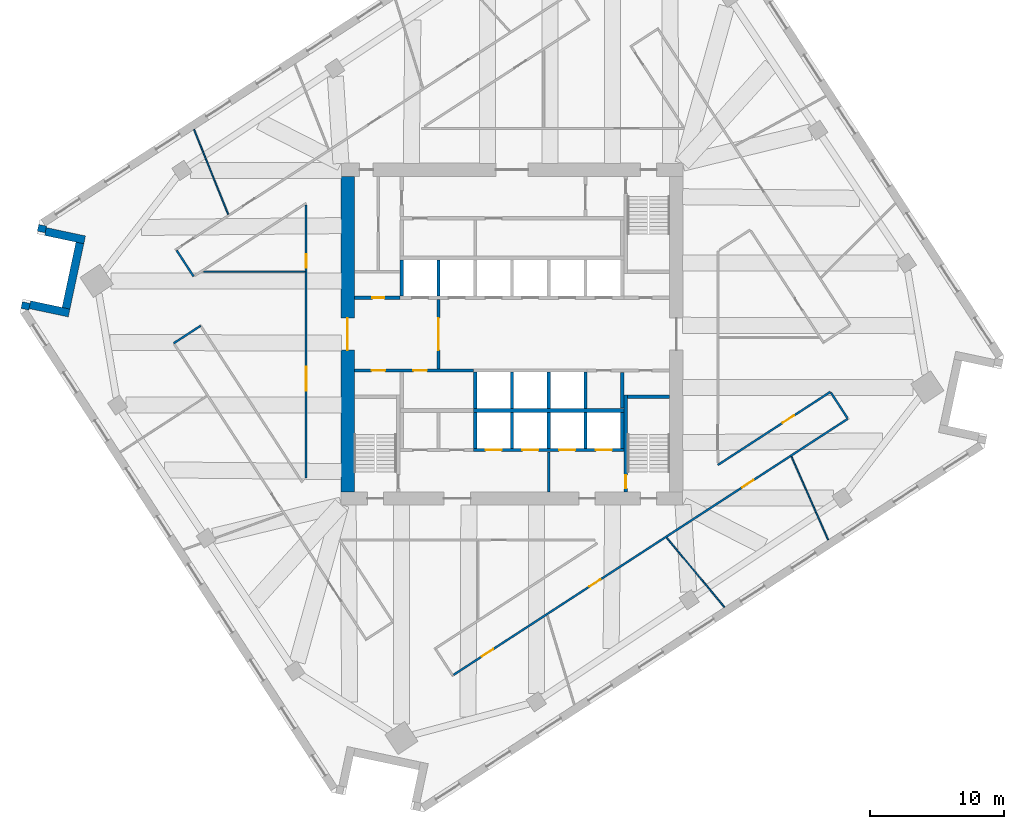
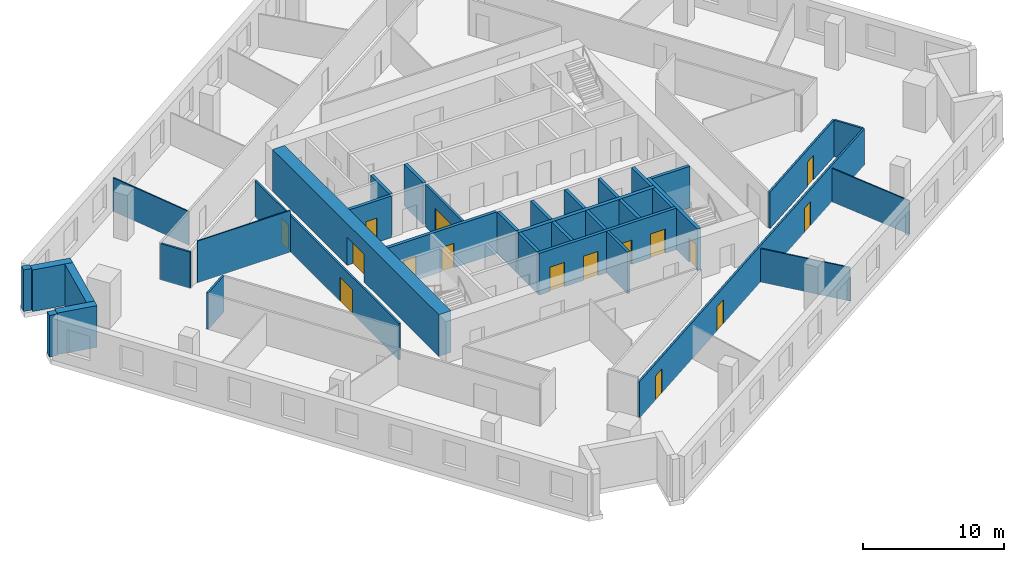
# One storey, part 7 of 12: 36 walls, 16 doors, 16 openings.
"""IFC4 building model written with IfcOpenShell, lengths in metres."""

from ifc_helpers import new_model, si_unit, direction, frame, frame_2d, origin, place, context, subcontext, project, spatial, rectangle, extrude, material, layer, layer_set, type_object, element, fill, save


model = new_model("IFC4")

# Units and contexts
model_context = context("Model", 3, precision=1e-05, world=origin(), true_north=direction((0.0, 1.0)))
body_context = subcontext(model_context, "Body", "Model", "MODEL_VIEW")
ifc_project = project(units=[si_unit("LENGTHUNIT", "METRE"), si_unit("AREAUNIT", "SQUARE_METRE"), si_unit("VOLUMEUNIT", "CUBIC_METRE"), si_unit("PLANEANGLEUNIT", "RADIAN"), si_unit("MASSUNIT", "GRAM", prefix="KILO")], contexts=[model_context])

# Site, building, storey
site_placement = place(None, origin())
site = spatial("IfcSite", under=ifc_project, at=site_placement, CompositionType="ELEMENT")
building_placement = place(site_placement, origin())
building = spatial("IfcBuilding", under=site, at=building_placement, Name="Dilmun Exchange Tower", CompositionType="ELEMENT")
storey_placement = place(building_placement, frame((0.0, 0.0, 159.699951171875)))
storey = spatial("IfcBuildingStorey", under=building, at=storey_placement, Name="L37", CompositionType="ELEMENT", Elevation=159.699951171875)

# Wall
ifc_material_1 = material(Name="Concrete C40/50", Category="concrete")
ifc_layer_1 = layer(ifc_material_1, 0.199951171875)
ifc_layer_set_1 = layer_set([ifc_layer_1], Name="Concrete C40/50")
wall_type_1 = type_object("IfcWallType", Name="Core partition wall 200", PredefinedType="PARTITIONING", material=ifc_layer_set_1)
wall_1_placement = place(storey_placement, frame((2.75, -11.794921875, 0.0), z_axis=(0.0, 0.0, 1.0), x_axis=(0.0, 1.0, 0.0)))
element("IfcWall", 1, at=wall_1_placement, inside=storey, type_object=wall_type_1, Name="L37 core partition wall 01", PredefinedType="PARTITIONING", context=body_context, shape_type="SweptSolid", body=[
    extrude(rectangle(XDim=2.989990234375, YDim=0.199951171875, at=frame_2d((1.4951171875, 0.0))), origin(), (0.0, 0.0, 1.0), 3.60009765625),
])

# Wall, opening, door
wall_2_placement = place(storey_placement, frame((-5.5, -2.594970703125, 0.0), z_axis=(0.0, 0.0, 1.0), x_axis=(0.0, 1.0, 0.0)))
wall_2 = element("IfcWall", 2, at=wall_2_placement, inside=storey, type_object=wall_type_1, Name="L37 core partition wall 10", PredefinedType="PARTITIONING", context=body_context, shape_type="SweptSolid", body=[
    extrude(rectangle(XDim=5.18994140625, YDim=0.199951171875, at=frame_2d((2.594970703125, 0.0))), origin(), (0.0, 0.0, 1.0), 3.60009765625),
])
opening_1_placement = place(wall_2_placement, frame((1.39501953125, 0.0, 0.0)))
opening_1 = element("IfcOpeningElement", 3, at=opening_1_placement, cuts=wall_2, Name="Opening CD1", PredefinedType="OPENING", context=body_context, shape_type="SweptSolid", body=[
    extrude(rectangle(XDim=2.39990234375, YDim=2.39990234375, at=frame_2d((1.199951171875, 1.199951171875))), frame((0.0, 0.10986328125, 0.0), z_axis=(0.0, -1.0, 0.0), x_axis=(1.0, 0.0, 0.0)), (0.0, 0.0, 1.0), 0.219970703125),
])
ifc_material_2 = material(Name="Fire-rated steel door set", Category="steel")
door_type_1 = type_object("IfcDoorType", Name="Core lobby door 2400x2400", OperationType="DOUBLE_DOOR_DOUBLE_SWING", PredefinedType="DOOR", material=ifc_material_2)
door_1_placement = place(opening_1_placement, origin())
door_1 = element("IfcDoor", 4, at=door_1_placement, inside=storey, type_object=door_type_1, Name="L37 door Lift lobby east", OperationType="DOUBLE_DOOR_DOUBLE_SWING", OverallHeight=2.39990234375, OverallWidth=2.39990234375, PredefinedType="DOOR", context=body_context, shape_type="SweptSolid", body=[
    extrude(rectangle(XDim=2.39990234375, YDim=2.39990234375, at=frame_2d((1.199951171875, 1.199951171875))), frame((0.0, 0.02490234375, 0.0), z_axis=(0.0, -1.0, 0.0), x_axis=(1.0, 0.0, 0.0)), (0.0, 0.0, 1.0), 0.050048828125),
])
fill(opening_1, door_1)

# Wall
ifc_layer_2 = layer(ifc_material_1, 0.25)
ifc_layer_set_2 = layer_set([ifc_layer_2], Name="Concrete C40/50")
wall_type_2 = type_object("IfcWallType", Name="Core partition wall 250", PredefinedType="PARTITIONING", material=ifc_layer_set_2)
wall_3_placement = place(storey_placement, frame((8.25, -5.544921875, 0.0), z_axis=(0.0, 0.0, 1.0), x_axis=(0.0, 1.0, 0.0)))
element("IfcWall", 5, at=wall_3_placement, inside=storey, type_object=wall_type_2, Name="L37 core partition wall 07", PredefinedType="PARTITIONING", context=body_context, shape_type="SweptSolid", body=[
    extrude(rectangle(XDim=2.68994140625, YDim=0.25, at=frame_2d((1.344970703125, 0.0))), origin(), (0.0, 0.0, 1.0), 3.60009765625),
])

# Wall, openings, doors
wall_4_placement = place(storey_placement, frame((-11.794921875, -2.72509765625, 0.0), z_axis=(0.0, 0.0, 1.0), x_axis=(1.0, 0.0, 0.0)))
wall_4 = element("IfcWall", 6, at=wall_4_placement, inside=storey, type_object=wall_type_2, Name="L37 core partition wall 08", PredefinedType="PARTITIONING", context=body_context, shape_type="SweptSolid", body=[
    extrude(rectangle(XDim=8.9150390625, YDim=0.25, at=frame_2d((4.45751953125, 0.0))), origin(), (0.0, 0.0, 1.0), 3.60009765625),
])
opening_2_placement = place(wall_4_placement, frame((1.294921875, 0.0, 0.0)))
opening_2 = element("IfcOpeningElement", 7, at=opening_2_placement, cuts=wall_4, Name="Opening CD4", PredefinedType="OPENING", context=body_context, shape_type="SweptSolid", body=[
    extrude(rectangle(XDim=1.0, YDim=2.10009765625, at=frame_2d((0.5, 1.050048828125))), frame((0.0, 0.135009765625, 0.0), z_axis=(0.0, -1.0, 0.0), x_axis=(1.0, 0.0, 0.0)), (0.0, 0.0, 1.0), 0.27001953125),
])
opening_3_placement = place(wall_4_placement, frame((4.419921875, 0.0, 0.0)))
opening_3 = element("IfcOpeningElement", 8, at=opening_3_placement, cuts=wall_4, Name="Opening CD4", PredefinedType="OPENING", context=body_context, shape_type="SweptSolid", body=[
    extrude(rectangle(XDim=1.0, YDim=2.10009765625, at=frame_2d((0.5, 1.050048828125))), frame((0.0, 0.135009765625, 0.0), z_axis=(0.0, -1.0, 0.0), x_axis=(1.0, 0.0, 0.0)), (0.0, 0.0, 1.0), 0.27001953125),
])
door_type_2 = type_object("IfcDoorType", Name="Core room door 1000x2100", OperationType="SINGLE_SWING_LEFT", PredefinedType="DOOR", material=ifc_material_2)
door_2_placement = place(opening_2_placement, origin())
door_2 = element("IfcDoor", 9, at=door_2_placement, inside=storey, type_object=door_type_2, Name="L37 door Accessible WC", OperationType="SINGLE_SWING_RIGHT", OverallHeight=2.10009765625, OverallWidth=1.0, PredefinedType="DOOR", context=body_context, shape_type="SweptSolid", body=[
    extrude(rectangle(XDim=1.0, YDim=2.10009765625, at=frame_2d((0.5, 1.050048828125))), frame((0.0, 0.02490234375, 0.0), z_axis=(0.0, -1.0, 0.0), x_axis=(1.0, 0.0, 0.0)), (0.0, 0.0, 1.0), 0.050048828125),
])
fill(opening_2, door_2)
door_3_placement = place(opening_3_placement, origin())
door_3 = element("IfcDoor", 10, at=door_3_placement, inside=storey, type_object=door_type_2, Name="L37 door Mechanical room", OperationType="SINGLE_SWING_RIGHT", OverallHeight=2.10009765625, OverallWidth=1.0, PredefinedType="DOOR", context=body_context, shape_type="SweptSolid", body=[
    extrude(rectangle(XDim=1.0, YDim=2.10009765625, at=frame_2d((0.5, 1.050048828125))), frame((0.0, 0.02490234375, 0.0), z_axis=(0.0, -1.0, 0.0), x_axis=(1.0, 0.0, 0.0)), (0.0, 0.0, 1.0), 0.050048828125),
])
fill(opening_3, door_3)

# Wall, opening, door
wall_5_placement = place(storey_placement, frame((-11.794921875, 2.72509765625, 0.0), z_axis=(0.0, 0.0, 1.0), x_axis=(1.0, 0.0, 0.0)))
wall_5 = element("IfcWall", 11, at=wall_5_placement, inside=storey, type_object=wall_type_2, Name="L37 core partition wall 11", PredefinedType="PARTITIONING", context=body_context, shape_type="SweptSolid", body=[
    extrude(rectangle(XDim=3.4150390625, YDim=0.25, at=frame_2d((1.70751953125, 0.0))), origin(), (0.0, 0.0, 1.0), 3.60009765625),
])
opening_4_placement = place(wall_5_placement, frame((1.344970703125, 0.0, 0.0)))
opening_4 = element("IfcOpeningElement", 12, at=opening_4_placement, cuts=wall_5, Name="Opening CD6", PredefinedType="OPENING", context=body_context, shape_type="SweptSolid", body=[
    extrude(rectangle(XDim=0.89990234375, YDim=2.10009765625, at=frame_2d((0.449951171875, 1.050048828125))), frame((0.0, 0.135009765625, 0.0), z_axis=(0.0, -1.0, 0.0), x_axis=(1.0, 0.0, 0.0)), (0.0, 0.0, 1.0), 0.27001953125),
])
door_type_3 = type_object("IfcDoorType", Name="Core room door 900x2100", OperationType="SINGLE_SWING_LEFT", PredefinedType="DOOR", material=ifc_material_2)
door_4_placement = place(opening_4_placement, origin())
door_4 = element("IfcDoor", 13, at=door_4_placement, inside=storey, type_object=door_type_3, Name="L37 door Plumbing riser", OperationType="SINGLE_SWING_RIGHT", OverallHeight=2.10009765625, OverallWidth=0.89990234375, PredefinedType="DOOR", context=body_context, shape_type="SweptSolid", body=[
    extrude(rectangle(XDim=0.89990234375, YDim=2.10009765625, at=frame_2d((0.449951171875, 1.050048828125))), frame((0.0, 0.02490234375, 0.0), z_axis=(0.0, -1.0, 0.0), x_axis=(1.0, 0.0, 0.0)), (0.0, 0.0, 1.0), 0.050048828125),
])
fill(opening_4, door_4)

ifc_material_3 = material(Name="Concrete C70/85", Category="concrete")
ifc_layer_3 = layer(ifc_material_3, 1.0)
ifc_layer_set_3 = layer_set([ifc_layer_3], Name="Concrete C70/85")
wall_type_3 = type_object("IfcWallType", Name="Core shear wall 1000 Concrete C70/85", PredefinedType="SHEAR", material=ifc_layer_set_3)
wall_6_placement = place(storey_placement, frame((-12.300048828125, -11.800048828125, 0.0), z_axis=(0.0, 0.0, 1.0), x_axis=(0.0, 1.0, 0.0)))
wall_6 = element("IfcWall", 14, at=wall_6_placement, inside=storey, type_object=wall_type_3, Name="L37 core shear wall W", PredefinedType="SHEAR", context=body_context, shape_type="SweptSolid", body=[
    extrude(rectangle(XDim=23.60009765625, YDim=1.0, at=frame_2d((11.800048828125, 0.0))), origin(), (0.0, 0.0, 1.0), 3.60009765625),
])
opening_5_placement = place(wall_6_placement, frame((10.60009765625, 0.0, 0.0)))
opening_5 = element("IfcOpeningElement", 15, at=opening_5_placement, cuts=wall_6, Name="Opening CD1", PredefinedType="OPENING", context=body_context, shape_type="SweptSolid", body=[
    extrude(rectangle(XDim=2.39990234375, YDim=2.39990234375, at=frame_2d((1.199951171875, 1.199951171875))), frame((0.0, 0.510009765625, 0.0), z_axis=(0.0, -1.0, 0.0), x_axis=(1.0, 0.0, 0.0)), (0.0, 0.0, 1.0), 1.02001953125),
])
door_5_placement = place(opening_5_placement, origin())
door_5 = element("IfcDoor", 16, at=door_5_placement, inside=storey, type_object=door_type_1, Name="L37 door Central lift lobby", OperationType="SINGLE_SWING_LEFT", OverallHeight=2.39990234375, OverallWidth=2.39990234375, PredefinedType="DOOR", context=body_context, shape_type="SweptSolid", body=[
    extrude(rectangle(XDim=2.39990234375, YDim=2.39990234375, at=frame_2d((1.199951171875, 1.199951171875))), frame((0.0, 0.02490234375, 0.0), z_axis=(0.0, -1.0, 0.0), x_axis=(1.0, 0.0, 0.0)), (0.0, 0.0, 1.0), 0.050048828125),
])
fill(opening_5, door_5)

# Walls
ifc_material_4 = material(Name="Corridor wall 150")
ifc_layer_4 = layer(ifc_material_4, 0.14990234375)
ifc_layer_set_4 = layer_set([ifc_layer_4], Name="Corridor wall 150")
wall_type_4 = type_object("IfcWallType", Name="Corridor wall 150", PredefinedType="PARTITIONING", material=ifc_layer_set_4)
wall_7_placement = place(storey_placement, frame((-25.31201171875, -0.680908203125, 0.0), z_axis=(0.0, 0.0, 1.0), x_axis=(0.838734016275, 0.544541320694, 0.0)))
element("IfcWall", 17, at=wall_7_placement, inside=storey, type_object=wall_type_4, Name="Corridor wall", PredefinedType="PARTITIONING", context=body_context, shape_type="SweptSolid", body=[
    extrude(rectangle(XDim=2.39990234375, YDim=0.14990234375, at=frame_2d((1.199951171875, 0.0))), origin(), (0.0, 0.0, 1.0), 3.150146484375),
])
wall_8_placement = place(storey_placement, frame((-25.093017578125, 6.26806640625, 0.0), z_axis=(0.0, 0.0, 1.0), x_axis=(0.544770485594, -0.838585188294, 0.0)))
element("IfcWall", 18, at=wall_8_placement, inside=storey, type_object=wall_type_4, Name="Corridor wall", PredefinedType="PARTITIONING", context=body_context, shape_type="SweptSolid", body=[
    extrude(rectangle(XDim=2.32421875, YDim=0.14990234375, at=frame_2d((1.162109375, 0.0))), origin(), (0.0, 0.0, 1.0), 3.150146484375),
])

# Wall, openings, doors
wall_9_placement = place(storey_placement, frame((-15.39990234375, -10.772705078125, 0.0), z_axis=(0.0, 0.0, 1.0), x_axis=(0.0, 1.0, 0.0)))
wall_9 = element("IfcWall", 19, at=wall_9_placement, inside=storey, type_object=wall_type_4, Name="Corridor wall", PredefinedType="PARTITIONING", context=body_context, shape_type="SweptSolid", body=[
    extrude(rectangle(XDim=20.425537109375, YDim=0.14990234375, at=frame_2d((10.212890625, 0.0))), origin(), (0.0, 0.0, 1.0), 3.150146484375),
])
opening_6_placement = place(wall_9_placement, frame((6.550048828125, 0.0, 0.0)))
opening_6 = element("IfcOpeningElement", 20, at=opening_6_placement, cuts=wall_9, Name="Opening TF36-D01", PredefinedType="OPENING", context=body_context, shape_type="SweptSolid", body=[
    extrude(rectangle(XDim=1.800048828125, YDim=2.10009765625, at=frame_2d((0.89990234375, 1.050048828125))), frame((0.0, 0.0849609375, 0.0), z_axis=(0.0, -1.0, 0.0), x_axis=(1.0, 0.0, 0.0)), (0.0, 0.0, 1.0), 0.169921875),
])
opening_7_placement = place(wall_9_placement, frame((15.745849609375, 0.0, 0.0)))
opening_7 = element("IfcOpeningElement", 21, at=opening_7_placement, cuts=wall_9, Name="Opening TF36-D05", PredefinedType="OPENING", context=body_context, shape_type="SweptSolid", body=[
    extrude(rectangle(XDim=1.0, YDim=2.10009765625, at=frame_2d((0.5, 1.050048828125))), frame((0.0, 0.0849609375, 0.0), z_axis=(0.0, -1.0, 0.0), x_axis=(1.0, 0.0, 0.0)), (0.0, 0.0, 1.0), 0.169921875),
])
ifc_material_5 = material(Name="Fire door 1000 x 2100")
door_type_4 = type_object("IfcDoorType", Name="Fire door 1000 x 2100", OperationType="NOTDEFINED", PredefinedType="DOOR", material=ifc_material_5)
door_6_placement = place(opening_7_placement, origin())
door_6 = element("IfcDoor", 22, at=door_6_placement, inside=storey, type_object=door_type_4, Name="Door TF36-D05", OperationType="SINGLE_SWING_RIGHT", OverallHeight=2.10009765625, OverallWidth=1.0, PredefinedType="DOOR", context=body_context, shape_type="SweptSolid", body=[
    extrude(rectangle(XDim=1.0, YDim=2.10009765625, at=frame_2d((0.5, 1.050048828125))), frame((0.0, 0.02490234375, 0.0), z_axis=(0.0, -1.0, 0.0), x_axis=(1.0, 0.0, 0.0)), (0.0, 0.0, 1.0), 0.050048828125),
])
fill(opening_7, door_6)
ifc_material_6 = material(Name="Fire door pair 1800 x 2100")
door_type_5 = type_object("IfcDoorType", Name="Fire door pair 1800 x 2100", OperationType="NOTDEFINED", PredefinedType="DOOR", material=ifc_material_6)
door_7_placement = place(opening_6_placement, origin())
door_7 = element("IfcDoor", 23, at=door_7_placement, inside=storey, type_object=door_type_5, Name="Door TF36-D01", OperationType="DOUBLE_DOOR_SINGLE_SWING", OverallHeight=2.10009765625, OverallWidth=1.800048828125, PredefinedType="DOOR", context=body_context, shape_type="SweptSolid", body=[
    extrude(rectangle(XDim=1.800048828125, YDim=2.10009765625, at=frame_2d((0.89990234375, 1.050048828125))), frame((0.0, 0.02490234375, 0.0), z_axis=(0.0, -1.0, 0.0), x_axis=(1.0, 0.0, 0.0)), (0.0, 0.0, 1.0), 0.050048828125),
])
fill(opening_6, door_7)

wall_10_placement = place(storey_placement, frame((-4.376220703125, -25.49609375, 0.0), z_axis=(0.0, 0.0, 1.0), x_axis=(0.838659454634, 0.544656147631, 0.0)))
wall_10 = element("IfcWall", 24, at=wall_10_placement, inside=storey, type_object=wall_type_4, Name="Corridor wall", PredefinedType="PARTITIONING", context=body_context, shape_type="SweptSolid", body=[
    extrude(rectangle(XDim=35.1875, YDim=0.14990234375, at=frame_2d((17.59375, 0.0))), origin(), (0.0, 0.0, 1.0), 3.150146484375),
])
opening_8_placement = place(wall_10_placement, frame((2.550048828125, 0.0, 0.0)))
opening_8 = element("IfcOpeningElement", 25, at=opening_8_placement, cuts=wall_10, Name="Opening TF36-D08", PredefinedType="OPENING", context=body_context, shape_type="SweptSolid", body=[
    extrude(rectangle(XDim=1.0, YDim=2.10009765625, at=frame_2d((0.5, 1.050048828125))), frame((0.0, 0.0849609375, 0.0), z_axis=(0.0, -1.0, 0.0), x_axis=(1.0, 0.0, 0.0)), (0.0, 0.0, 1.0), 0.169921875),
])
opening_9_placement = place(wall_10_placement, frame((12.126220703125, 0.0, 0.0)))
opening_9 = element("IfcOpeningElement", 26, at=opening_9_placement, cuts=wall_10, Name="Opening TF36-D12", PredefinedType="OPENING", context=body_context, shape_type="SweptSolid", body=[
    extrude(rectangle(XDim=1.0, YDim=2.10009765625, at=frame_2d((0.5, 1.050048828125))), frame((0.0, 0.0849609375, 0.0), z_axis=(0.0, -1.0, 0.0), x_axis=(1.0, 0.0, 0.0)), (0.0, 0.0, 1.0), 0.169921875),
])
opening_10_placement = place(wall_10_placement, frame((25.759033203125, 0.0, 0.0)))
opening_10 = element("IfcOpeningElement", 27, at=opening_10_placement, cuts=wall_10, Name="Opening TF36-D15", PredefinedType="OPENING", context=body_context, shape_type="SweptSolid", body=[
    extrude(rectangle(XDim=1.0, YDim=2.10009765625, at=frame_2d((0.5, 1.050048828125))), frame((0.0, 0.0849609375, 0.0), z_axis=(0.0, -1.0, 0.0), x_axis=(1.0, 0.0, 0.0)), (0.0, 0.0, 1.0), 0.169921875),
])
door_8_placement = place(opening_8_placement, frame((1.0, 0.0, 0.0), z_axis=(0.0, 0.0, 1.0), x_axis=(-1.0, 0.0, 0.0)))
door_8 = element("IfcDoor", 28, at=door_8_placement, inside=storey, type_object=door_type_4, Name="Door TF36-D08", OperationType="SINGLE_SWING_LEFT", OverallHeight=2.10009765625, OverallWidth=1.0, PredefinedType="DOOR", context=body_context, shape_type="SweptSolid", body=[
    extrude(rectangle(XDim=1.0, YDim=2.10009765625, at=frame_2d((0.5, 1.050048828125))), frame((0.0, 0.02490234375, 0.0), z_axis=(0.0, -1.0, 0.0), x_axis=(1.0, 0.0, 0.0)), (0.0, 0.0, 1.0), 0.050048828125),
])
fill(opening_8, door_8)
door_9_placement = place(opening_9_placement, frame((1.0, 0.0, 0.0), z_axis=(0.0, 0.0, 1.0), x_axis=(-1.0, 0.0, 0.0)))
door_9 = element("IfcDoor", 29, at=door_9_placement, inside=storey, type_object=door_type_4, Name="Door TF36-D12", OperationType="SINGLE_SWING_LEFT", OverallHeight=2.10009765625, OverallWidth=1.0, PredefinedType="DOOR", context=body_context, shape_type="SweptSolid", body=[
    extrude(rectangle(XDim=1.0, YDim=2.10009765625, at=frame_2d((0.5, 1.050048828125))), frame((0.0, 0.02490234375, 0.0), z_axis=(0.0, -1.0, 0.0), x_axis=(1.0, 0.0, 0.0)), (0.0, 0.0, 1.0), 0.050048828125),
])
fill(opening_9, door_9)
door_10_placement = place(opening_10_placement, frame((1.0, 0.0, 0.0), z_axis=(0.0, 0.0, 1.0), x_axis=(-1.0, 0.0, 0.0)))
door_10 = element("IfcDoor", 30, at=door_10_placement, inside=storey, type_object=door_type_4, Name="Door TF36-D15", OperationType="SINGLE_SWING_RIGHT", OverallHeight=2.10009765625, OverallWidth=1.0, PredefinedType="DOOR", context=body_context, shape_type="SweptSolid", body=[
    extrude(rectangle(XDim=1.0, YDim=2.10009765625, at=frame_2d((0.5, 1.050048828125))), frame((0.0, 0.02490234375, 0.0), z_axis=(0.0, -1.0, 0.0), x_axis=(1.0, 0.0, 0.0)), (0.0, 0.0, 1.0), 0.050048828125),
])
fill(opening_10, door_10)

# Wall, opening, door
wall_11_placement = place(storey_placement, frame((15.39990234375, -9.791015625, 0.0), z_axis=(0.0, 0.0, 1.0), x_axis=(0.838699444503, 0.544594566435, 0.0)))
wall_11 = element("IfcWall", 31, at=wall_11_placement, inside=storey, type_object=wall_type_4, Name="Corridor wall", PredefinedType="PARTITIONING", context=body_context, shape_type="SweptSolid", body=[
    extrude(rectangle(XDim=10.047607421875, YDim=0.14990234375, at=frame_2d((5.02392578125, 0.0))), origin(), (0.0, 0.0, 1.0), 3.150146484375),
])
opening_11_placement = place(wall_11_placement, frame((5.800048828125, 0.0, 0.0)))
opening_11 = element("IfcOpeningElement", 32, at=opening_11_placement, cuts=wall_11, Name="Opening TF36-D19", PredefinedType="OPENING", context=body_context, shape_type="SweptSolid", body=[
    extrude(rectangle(XDim=1.0, YDim=2.10009765625, at=frame_2d((0.5, 1.050048828125))), frame((0.0, 0.0849609375, 0.0), z_axis=(0.0, -1.0, 0.0), x_axis=(1.0, 0.0, 0.0)), (0.0, 0.0, 1.0), 0.169921875),
])
door_11_placement = place(opening_11_placement, origin())
door_11 = element("IfcDoor", 33, at=door_11_placement, inside=storey, type_object=door_type_4, Name="Door TF36-D19", OperationType="SINGLE_SWING_RIGHT", OverallHeight=2.10009765625, OverallWidth=1.0, PredefinedType="DOOR", context=body_context, shape_type="SweptSolid", body=[
    extrude(rectangle(XDim=1.0, YDim=2.10009765625, at=frame_2d((0.5, 1.050048828125))), frame((0.0, 0.02490234375, 0.0), z_axis=(0.0, -1.0, 0.0), x_axis=(1.0, 0.0, 0.0)), (0.0, 0.0, 1.0), 0.050048828125),
])
fill(opening_11, door_11)

# Walls
wall_12_placement = place(storey_placement, frame((23.867919921875, -4.3818359375, 0.0), z_axis=(0.0, 0.0, 1.0), x_axis=(0.544690717141, -0.838637002916, 0.0)))
element("IfcWall", 34, at=wall_12_placement, inside=storey, type_object=wall_type_4, Name="Corridor wall", PredefinedType="PARTITIONING", context=body_context, shape_type="SweptSolid", body=[
    extrude(rectangle(XDim=2.249267578125, YDim=0.14990234375, at=frame_2d((1.12451171875, 0.0))), origin(), (0.0, 0.0, 1.0), 3.150146484375),
])
ifc_layer_5 = layer(ifc_material_1, 0.300048828125)
ifc_layer_set_5 = layer_set([ifc_layer_5], Name="Concrete C40/50")
wall_type_5 = type_object("IfcWallType", Name="Lift shaft shared wall 300", PredefinedType="SOLIDWALL", material=ifc_layer_set_5)
wall_13_placement = place(storey_placement, frame((-2.875, -5.699951171875, 0.0), z_axis=(0.0, 0.0, 1.0), x_axis=(1.0, 0.0, 0.0)))
element("IfcWall", 35, at=wall_13_placement, inside=storey, type_object=wall_type_5, Name="L37 lift shaft rear wall S", PredefinedType="SOLIDWALL", context=body_context, shape_type="SweptSolid", body=[
    extrude(rectangle(XDim=11.25, YDim=0.300048828125, at=frame_2d((5.625, 0.0))), origin(), (0.0, 0.0, 1.0), 3.60009765625),
])
ifc_layer_6 = layer(ifc_material_1, 0.25)
ifc_layer_set_6 = layer_set([ifc_layer_6], Name="Concrete C40/50")
wall_type_6 = type_object("IfcWallType", Name="Lift shaft wall 250", PredefinedType="SOLIDWALL", material=ifc_layer_set_6)
for number, where, z_axis, x_axis, name in (
    (36, (-8.25, 2.85009765625, 0.0), (0.0, 0.0, 1.0), (0.0, 1.0, 0.0), "L37 lift shaft divider N10"),
    (37, (-5.5, 2.85009765625, 0.0), (0.0, 0.0, 1.0), (0.0, 1.0, 0.0), "L37 lift shaft divider N11"),
    (38, (-2.75, -5.550048828125, 0.0), (0.0, 0.0, 1.0), (0.0, 1.0, 0.0), "L37 lift shaft divider S12"),
    (39, (0.0, -5.550048828125, 0.0), (0.0, 0.0, 1.0), (0.0, 1.0, 0.0), "L37 lift shaft divider S13"),
    (40, (2.75, -5.550048828125, 0.0), (0.0, 0.0, 1.0), (0.0, 1.0, 0.0), "L37 lift shaft divider S14"),
    (41, (5.5, -5.550048828125, 0.0), (0.0, 0.0, 1.0), (0.0, 1.0, 0.0), "L37 lift shaft divider S15"),
):
    element("IfcWall", number, at=place(storey_placement, frame(where, z_axis=z_axis, x_axis=x_axis)), inside=storey, type_object=wall_type_6, Name=name, PredefinedType="SOLIDWALL", context=body_context, shape_type="SweptSolid", body=[
        extrude(rectangle(XDim=2.699951171875, YDim=0.25, at=frame_2d((1.35009765625, 0.0))), origin(), (0.0, 0.0, 1.0), 3.60009765625),
    ])

# Wall, openings, doors
wall_14_placement = place(storey_placement, frame((-2.875, -8.675048828125, 0.0), z_axis=(0.0, 0.0, 1.0), x_axis=(1.0, 0.0, 0.0)))
wall_14 = element("IfcWall", 42, at=wall_14_placement, inside=storey, type_object=wall_type_6, Name="L37 lift shaft front wall S2", PredefinedType="SOLIDWALL", context=body_context, shape_type="SweptSolid", body=[
    extrude(rectangle(XDim=11.25, YDim=0.25, at=frame_2d((5.625, 0.0))), origin(), (0.0, 0.0, 1.0), 3.60009765625),
])
opening_12_placement = place(wall_14_placement, frame((0.89990234375, 0.0, 0.0)))
opening_12 = element("IfcOpeningElement", 43, at=opening_12_placement, cuts=wall_14, Name="Opening LD", PredefinedType="OPENING", context=body_context, shape_type="SweptSolid", body=[
    extrude(rectangle(XDim=1.199951171875, YDim=2.10009765625, at=frame_2d((0.60009765625, 1.050048828125))), frame((0.0, 0.135009765625, 0.0), z_axis=(0.0, -1.0, 0.0), x_axis=(1.0, 0.0, 0.0)), (0.0, 0.0, 1.0), 0.27001953125),
])
opening_13_placement = place(wall_14_placement, frame((3.64990234375, 0.0, 0.0)))
opening_13 = element("IfcOpeningElement", 44, at=opening_13_placement, cuts=wall_14, Name="Opening LD", PredefinedType="OPENING", context=body_context, shape_type="SweptSolid", body=[
    extrude(rectangle(XDim=1.199951171875, YDim=2.10009765625, at=frame_2d((0.60009765625, 1.050048828125))), frame((0.0, 0.135009765625, 0.0), z_axis=(0.0, -1.0, 0.0), x_axis=(1.0, 0.0, 0.0)), (0.0, 0.0, 1.0), 0.27001953125),
])
opening_14_placement = place(wall_14_placement, frame((6.39990234375, 0.0, 0.0)))
opening_14 = element("IfcOpeningElement", 45, at=opening_14_placement, cuts=wall_14, Name="Opening LD", PredefinedType="OPENING", context=body_context, shape_type="SweptSolid", body=[
    extrude(rectangle(XDim=1.199951171875, YDim=2.10009765625, at=frame_2d((0.60009765625, 1.050048828125))), frame((0.0, 0.135009765625, 0.0), z_axis=(0.0, -1.0, 0.0), x_axis=(1.0, 0.0, 0.0)), (0.0, 0.0, 1.0), 0.27001953125),
])
opening_15_placement = place(wall_14_placement, frame((9.14990234375, 0.0, 0.0)))
opening_15 = element("IfcOpeningElement", 46, at=opening_15_placement, cuts=wall_14, Name="Opening LD", PredefinedType="OPENING", context=body_context, shape_type="SweptSolid", body=[
    extrude(rectangle(XDim=1.199951171875, YDim=2.10009765625, at=frame_2d((0.60009765625, 1.050048828125))), frame((0.0, 0.135009765625, 0.0), z_axis=(0.0, -1.0, 0.0), x_axis=(1.0, 0.0, 0.0)), (0.0, 0.0, 1.0), 0.27001953125),
])
door_type_6 = type_object("IfcDoorType", Name="Lift landing door 1200x2100", OperationType="DOUBLE_DOOR_SLIDING", PredefinedType="DOOR", material=ifc_material_2)
door_12_placement = place(opening_12_placement, origin())
door_12 = element("IfcDoor", 47, at=door_12_placement, inside=storey, type_object=door_type_6, Name="L37 landing door SV1", OperationType="DOUBLE_DOOR_SLIDING", OverallHeight=2.10009765625, OverallWidth=1.199951171875, PredefinedType="DOOR", context=body_context, shape_type="SweptSolid", body=[
    extrude(rectangle(XDim=1.199951171875, YDim=2.10009765625, at=frame_2d((0.60009765625, 1.050048828125))), frame((0.0, 0.02490234375, 0.0), z_axis=(0.0, -1.0, 0.0), x_axis=(1.0, 0.0, 0.0)), (0.0, 0.0, 1.0), 0.050048828125),
])
fill(opening_12, door_12)
door_13_placement = place(opening_13_placement, origin())
door_13 = element("IfcDoor", 48, at=door_13_placement, inside=storey, type_object=door_type_6, Name="L37 landing door SV2", OperationType="DOUBLE_DOOR_SLIDING", OverallHeight=2.10009765625, OverallWidth=1.199951171875, PredefinedType="DOOR", context=body_context, shape_type="SweptSolid", body=[
    extrude(rectangle(XDim=1.199951171875, YDim=2.10009765625, at=frame_2d((0.60009765625, 1.050048828125))), frame((0.0, 0.02490234375, 0.0), z_axis=(0.0, -1.0, 0.0), x_axis=(1.0, 0.0, 0.0)), (0.0, 0.0, 1.0), 0.050048828125),
])
fill(opening_13, door_13)
door_14_placement = place(opening_14_placement, origin())
door_14 = element("IfcDoor", 49, at=door_14_placement, inside=storey, type_object=door_type_6, Name="L37 landing door FF1", OperationType="DOUBLE_DOOR_SLIDING", OverallHeight=2.10009765625, OverallWidth=1.199951171875, PredefinedType="DOOR", context=body_context, shape_type="SweptSolid", body=[
    extrude(rectangle(XDim=1.199951171875, YDim=2.10009765625, at=frame_2d((0.60009765625, 1.050048828125))), frame((0.0, 0.02490234375, 0.0), z_axis=(0.0, -1.0, 0.0), x_axis=(1.0, 0.0, 0.0)), (0.0, 0.0, 1.0), 0.050048828125),
])
fill(opening_14, door_14)
door_15_placement = place(opening_15_placement, origin())
door_15 = element("IfcDoor", 50, at=door_15_placement, inside=storey, type_object=door_type_6, Name="L37 landing door FF2", OperationType="DOUBLE_DOOR_SLIDING", OverallHeight=2.10009765625, OverallWidth=1.199951171875, PredefinedType="DOOR", context=body_context, shape_type="SweptSolid", body=[
    extrude(rectangle(XDim=1.199951171875, YDim=2.10009765625, at=frame_2d((0.60009765625, 1.050048828125))), frame((0.0, 0.02490234375, 0.0), z_axis=(0.0, -1.0, 0.0), x_axis=(1.0, 0.0, 0.0)), (0.0, 0.0, 1.0), 0.050048828125),
])
fill(opening_15, door_15)

# Walls
for number, where, z_axis, x_axis, name in (
    (51, (-2.75, -8.550048828125, 0.0), (0.0, 0.0, 1.0), (0.0, 1.0, 0.0), "L37 lift shaft divider S22"),
    (52, (0.0, -8.550048828125, 0.0), (0.0, 0.0, 1.0), (0.0, 1.0, 0.0), "L37 lift shaft divider S23"),
    (53, (2.75, -8.550048828125, 0.0), (0.0, 0.0, 1.0), (0.0, 1.0, 0.0), "L37 lift shaft divider S24"),
    (54, (5.5, -8.550048828125, 0.0), (0.0, 0.0, 1.0), (0.0, 1.0, 0.0), "L37 lift shaft divider S25"),
    (55, (8.25, -8.550048828125, 0.0), (0.0, 0.0, 1.0), (0.0, 1.0, 0.0), "L37 lift shaft divider S26"),
):
    element("IfcWall", number, at=place(storey_placement, frame(where, z_axis=z_axis, x_axis=x_axis)), inside=storey, type_object=wall_type_6, Name=name, PredefinedType="SOLIDWALL", context=body_context, shape_type="SweptSolid", body=[
        extrude(rectangle(XDim=2.699951171875, YDim=0.25, at=frame_2d((1.35009765625, 0.0))), origin(), (0.0, 0.0, 1.0), 3.60009765625),
    ])
ifc_material_7 = material(Name="Partition 100")
ifc_layer_7 = layer(ifc_material_7, 0.10009765625)
ifc_layer_set_7 = layer_set([ifc_layer_7], Name="Partition 100")
wall_type_7 = type_object("IfcWallType", Name="Partition 100", PredefinedType="PARTITIONING", material=ifc_layer_set_7)
wall_15_placement = place(storey_placement, frame((-23.791748046875, 15.31005859375, 0.0), z_axis=(0.0, 0.0, 1.0), x_axis=(0.373850501152, -0.927488977179, 0.0)))
element("IfcWall", 56, at=wall_15_placement, inside=storey, type_object=wall_type_7, Name="Partition", PredefinedType="PARTITIONING", context=body_context, shape_type="SweptSolid", body=[
    extrude(rectangle(XDim=6.84130859375, YDim=0.10009765625, at=frame_2d((3.420654296875, 0.0))), origin(), (0.0, 0.0, 1.0), 2.900146484375),
])
wall_16_placement = place(storey_placement, frame((-23.06640625, 4.673095703125, 0.0), z_axis=(0.0, 0.0, 1.0), x_axis=(1.0, 0.0, 0.0)))
element("IfcWall", 57, at=wall_16_placement, inside=storey, type_object=wall_type_7, Name="Partition", PredefinedType="PARTITIONING", context=body_context, shape_type="SweptSolid", body=[
    extrude(rectangle(XDim=7.59130859375, YDim=0.10009765625, at=frame_2d((3.795654296875, 0.0))), origin(), (0.0, 0.0, 1.0), 3.60009765625),
])
wall_17_placement = place(storey_placement, frame((11.575927734375, -15.232666015625, 0.0), z_axis=(0.0, 0.0, 1.0), x_axis=(0.639033492135, -0.769178910222, 0.0)))
element("IfcWall", 58, at=wall_17_placement, inside=storey, type_object=wall_type_7, Name="Partition", PredefinedType="PARTITIONING", context=body_context, shape_type="SweptSolid", body=[
    extrude(rectangle(XDim=6.764404296875, YDim=0.10009765625, at=frame_2d((3.38232421875, 0.0))), origin(), (0.0, 0.0, 1.0), 2.900146484375),
])
wall_18_placement = place(storey_placement, frame((20.910888671875, -9.1728515625, 0.0), z_axis=(0.0, 0.0, 1.0), x_axis=(0.404172925905, -0.914682593015, 0.0)))
element("IfcWall", 59, at=wall_18_placement, inside=storey, type_object=wall_type_7, Name="Partition", PredefinedType="PARTITIONING", context=body_context, shape_type="SweptSolid", body=[
    extrude(rectangle(XDim=6.802734375, YDim=0.10009765625, at=frame_2d((3.4013671875, 0.0))), origin(), (0.0, 0.0, 1.0), 2.900146484375),
])
ifc_material_8 = material(Name="Precast concrete C50/60", Category="concrete")
ifc_layer_8 = layer(ifc_material_8, 0.60009765625)
ifc_layer_set_8 = layer_set([ifc_layer_8], Name="Precast concrete C50/60")
wall_type_8 = type_object("IfcWallType", Name="Precast stone-clad wall 600", PredefinedType="STANDARD", material=ifc_layer_set_8)
wall_19_placement = place(storey_placement, frame((-35.119140625, 8.1455078125, 0.0), z_axis=(0.0, 0.0, 1.0), x_axis=(-0.2081270777, -0.978101794052, 0.0)))
element("IfcWall", 60, at=wall_19_placement, inside=storey, type_object=wall_type_8, Name="Facade wall L37-04", PredefinedType="STANDARD", context=body_context, shape_type="SweptSolid", body=[
    extrude(rectangle(XDim=0.511474609375, YDim=0.60009765625, at=frame_2d((0.255859375, 0.0))), origin(), (0.0, 0.0, 1.0), 3.60009765625),
])
wall_20_placement = place(storey_placement, frame((-34.911376953125, 7.6806640625, 0.0), z_axis=(0.0, 0.0, 1.0), x_axis=(0.978146440129, -0.207917150959, 0.0)))
element("IfcWall", 61, at=wall_20_placement, inside=storey, type_object=wall_type_8, Name="Facade wall L37-05", PredefinedType="STANDARD", context=body_context, shape_type="SweptSolid", body=[
    extrude(rectangle(XDim=3.000244140625, YDim=0.60009765625, at=frame_2d((1.5, 0.0))), origin(), (0.0, 0.0, 1.0), 3.60009765625),
])
wall_21_placement = place(storey_placement, frame((-32.33251953125, 6.825927734375, 0.0), z_axis=(0.0, 0.0, 1.0), x_axis=(-0.207961536619, -0.978137004354, 0.0)))
element("IfcWall", 62, at=wall_21_placement, inside=storey, type_object=wall_type_8, Name="Facade wall L37-06", PredefinedType="STANDARD", context=body_context, shape_type="SweptSolid", body=[
    extrude(rectangle(XDim=5.0, YDim=0.60009765625, at=frame_2d((2.5, 0.0))), origin(), (0.0, 0.0, 1.0), 3.60009765625),
])
wall_22_placement = place(storey_placement, frame((-33.14111328125, 1.579345703125, 0.0), z_axis=(0.0, 0.0, 1.0), x_axis=(-0.978146440129, 0.207917150959, 0.0)))
element("IfcWall", 63, at=wall_22_placement, inside=storey, type_object=wall_type_8, Name="Facade wall L37-07", PredefinedType="STANDARD", context=body_context, shape_type="SweptSolid", body=[
    extrude(rectangle(XDim=3.000244140625, YDim=0.60009765625, at=frame_2d((1.5, 0.0))), origin(), (0.0, 0.0, 1.0), 3.60009765625),
])
wall_23_placement = place(storey_placement, frame((-36.34814453125, 2.36328125, 0.0), z_axis=(0.0, 0.0, 1.0), x_axis=(-0.208224297106, -0.978081102003, 0.0)))
element("IfcWall", 64, at=wall_23_placement, inside=storey, type_object=wall_type_8, Name="Facade wall L37-08", PredefinedType="STANDARD", context=body_context, shape_type="SweptSolid", body=[
    extrude(rectangle(XDim=0.51123046875, YDim=0.60009765625, at=frame_2d((0.255615234375, 0.0))), origin(), (0.0, 0.0, 1.0), 3.60009765625),
])
ifc_layer_9 = layer(ifc_material_1, 0.25)
ifc_layer_set_9 = layer_set([ifc_layer_9], Name="Concrete C40/50")
wall_type_9 = type_object("IfcWallType", Name="Stair end wall 250", PredefinedType="SOLIDWALL", material=ifc_layer_set_9)
wall_24_placement = place(storey_placement, frame((8.64990234375, -4.675048828125, 0.0), z_axis=(0.0, 0.0, 1.0), x_axis=(1.0, 0.0, 0.0)))
element("IfcWall", 65, at=wall_24_placement, inside=storey, type_object=wall_type_9, Name="L37 ST3 far wall", PredefinedType="SOLIDWALL", context=body_context, shape_type="SweptSolid", body=[
    extrude(rectangle(XDim=3.150146484375, YDim=0.25, at=frame_2d((1.5751953125, 0.0))), origin(), (0.0, 0.0, 1.0), 3.60009765625),
])

# Wall, opening, door
ifc_layer_10 = layer(ifc_material_1, 0.27490234375)
ifc_layer_set_10 = layer_set([ifc_layer_10], Name="Concrete C40/50")
wall_type_10 = type_object("IfcWallType", Name="Stair wall 275", PredefinedType="SOLIDWALL", material=ifc_layer_set_10)
wall_25_placement = place(storey_placement, frame((8.512451171875, -4.550048828125, 0.0), z_axis=(0.0, 0.0, 1.0), x_axis=(0.0, -1.0, 0.0)))
wall_25 = element("IfcWall", 66, at=wall_25_placement, inside=storey, type_object=wall_type_10, Name="L37 ST3 wall to lift block", PredefinedType="SOLIDWALL", context=body_context, shape_type="SweptSolid", body=[
    extrude(rectangle(XDim=7.25, YDim=0.27490234375, at=frame_2d((3.625, 0.0))), origin(), (0.0, 0.0, 1.0), 3.60009765625),
])
opening_16_placement = place(wall_25_placement, frame((6.0, 0.0, 0.0)))
opening_16 = element("IfcOpeningElement", 67, at=opening_16_placement, cuts=wall_25, Name="Opening CD4", PredefinedType="OPENING", context=body_context, shape_type="SweptSolid", body=[
    extrude(rectangle(XDim=1.0, YDim=2.10009765625, at=frame_2d((0.5, 1.050048828125))), frame((0.0, 0.1474609375, 0.0), z_axis=(0.0, -1.0, 0.0), x_axis=(1.0, 0.0, 0.0)), (0.0, 0.0, 1.0), 0.294921875),
])
door_16_placement = place(opening_16_placement, origin())
door_16 = element("IfcDoor", 68, at=door_16_placement, inside=storey, type_object=door_type_2, Name="L37 door ST3 from lobby", OperationType="SINGLE_SWING_LEFT", OverallHeight=2.10009765625, OverallWidth=1.0, PredefinedType="DOOR", context=body_context, shape_type="SweptSolid", body=[
    extrude(rectangle(XDim=1.0, YDim=2.10009765625, at=frame_2d((0.5, 1.050048828125))), frame((0.0, 0.02490234375, 0.0), z_axis=(0.0, -1.0, 0.0), x_axis=(1.0, 0.0, 0.0)), (0.0, 0.0, 1.0), 0.050048828125),
])
fill(opening_16, door_16)

save(model, "model.ifc")
